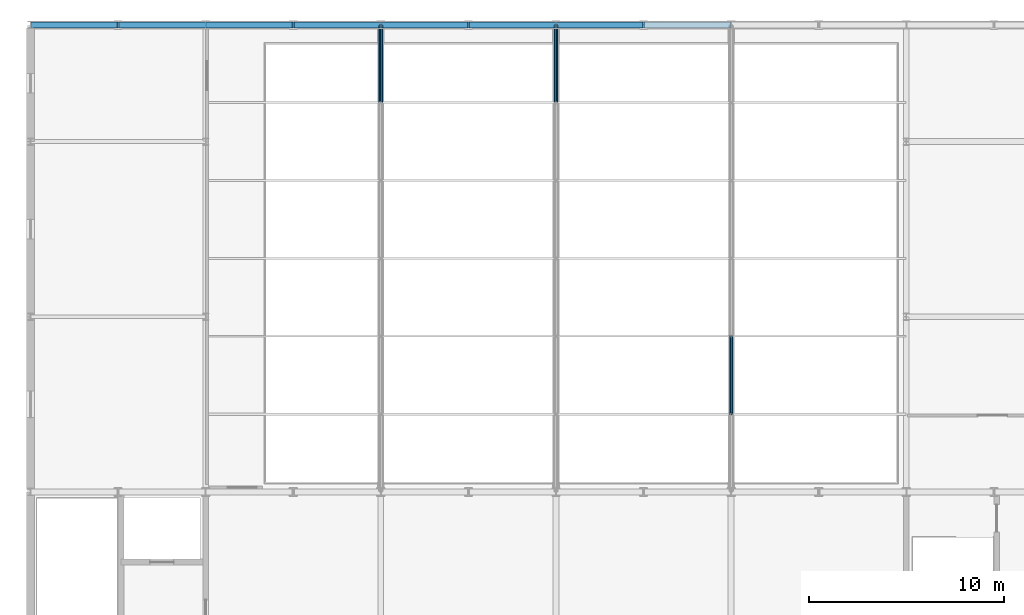
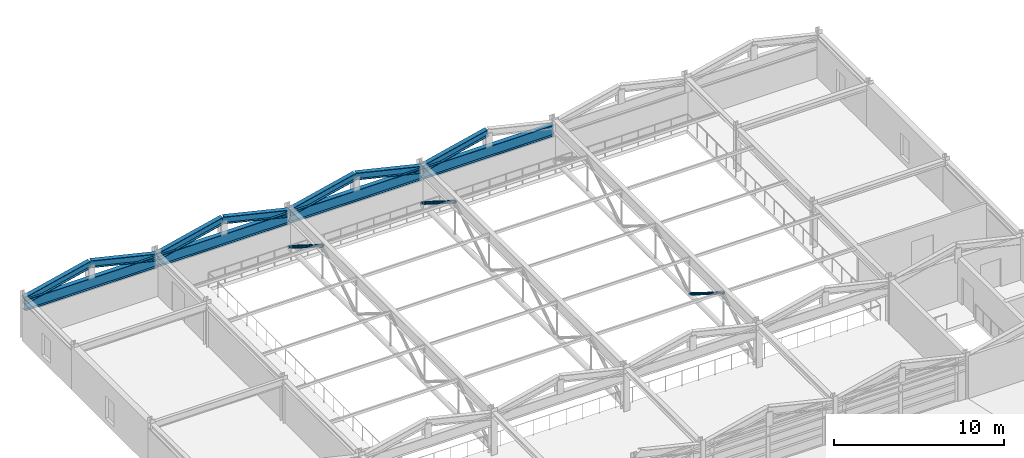
# One storey, part 37 of 91: 11 beams, 3 members.
"""IFC4 building model written with IfcOpenShell, lengths in metres."""

from ifc_helpers import new_model, si_unit, direction, frame, origin, origin_2d, place, context, subcontext, project, spatial, hollow_circle, i_section, extrude, material, material_profile, profile_set, type_object, element, save


model = new_model("IFC4")

# Units and contexts
model_context = context("Model", 3, precision=1e-05, world=origin(), true_north=direction((0.0, 1.0)))
body_context = subcontext(model_context, "Body", "Model", "MODEL_VIEW")
ifc_project = project(units=[si_unit("LENGTHUNIT", "METRE"), si_unit("AREAUNIT", "SQUARE_METRE"), si_unit("VOLUMEUNIT", "CUBIC_METRE"), si_unit("PLANEANGLEUNIT", "RADIAN"), si_unit("MASSUNIT", "GRAM", prefix="KILO")], contexts=[model_context])

# Site, building, storey
site_placement = place(None, origin())
site = spatial("IfcSite", under=ifc_project, at=site_placement, CompositionType="ELEMENT")
building_placement = place(site_placement, origin())
building = spatial("IfcBuilding", under=site, at=building_placement, Name="Palais des Congres Ocreval", CompositionType="ELEMENT")
storey_placement = place(building_placement, frame((0.0, 0.0, 8.159912109375)))
storey = spatial("IfcBuildingStorey", under=building, at=storey_placement, Name="L02", CompositionType="ELEMENT", Elevation=8.159912109375)

# Members
ifc_material = material(Name="Steel S355", Category="steel")
ifc_material_profile_1 = material_profile(ifc_material, hollow_circle(Radius=0.096923828125, WallThickness=0.010009765625, at=origin_2d()), Name="CHS 193.7x10")
ifc_profile_set_1 = profile_set([ifc_material_profile_1], Name="Steel S355")
member_type_1 = type_object("IfcMemberType", Name="Diagonal Brace CHS 193.7x10 Steel S355", PredefinedType="BRACE", material=ifc_profile_set_1)
member_placement = place(storey_placement, frame((36.0, 94.0, 2.7900390625), z_axis=(0.0, 0.847998304005, -0.529998940003), x_axis=(-1.0, 0.0, 0.0)))
element("IfcMember", 1, at=member_placement, inside=storey, type_object=member_type_1, Name="ROOF TRUSS Diagonal V1-36-2", PredefinedType="BRACE", context=body_context, shape_type="SweptSolid", body=[
    extrude(hollow_circle(Radius=0.096923828125, WallThickness=0.010009765625, at=origin_2d()), origin(), (0.0, 0.0, 1.0), 4.717041015625),
])
ifc_material_profile_2 = material_profile(ifc_material, hollow_circle(Radius=0.109619140625, WallThickness=0.012451171875, at=origin_2d()), Name="CHS 219.1x12.5")
ifc_profile_set_2 = profile_set([ifc_material_profile_2], Name="Steel S355")
member_type_2 = type_object("IfcMemberType", Name="Diagonal Brace CHS 219.1x12.5 Steel S355", PredefinedType="BRACE", material=ifc_profile_set_2)
for number, where, z_axis, x_axis, name in (
    (2, (18.0, 110.0, 2.7900390625), (0.0, 0.845587991701, -0.533836068743), (-1.0, 0.0, 0.0), "ROOF TRUSS Diagonal V1-18-6"),
    (3, (27.0, 110.0, 2.7900390625), (0.0, 0.845587991701, -0.533836068743), (-1.0, 0.0, 0.0), "ROOF TRUSS Diagonal V1-27-6"),
):
    element("IfcMember", number, at=place(storey_placement, frame(where, z_axis=z_axis, x_axis=x_axis)), inside=storey, type_object=member_type_2, Name=name, PredefinedType="BRACE", context=body_context, shape_type="SweptSolid", body=[
        extrude(hollow_circle(Radius=0.109619140625, WallThickness=0.012451171875, at=origin_2d()), origin(), (0.0, 0.0, 1.0), 4.68310546875),
    ])

# Beams
ifc_material_profile_3 = material_profile(ifc_material, i_section(OverallWidth=0.300048828125, OverallDepth=0.7900390625, WebThickness=0.014892578125, FlangeThickness=0.028076171875, at=origin_2d()), Name="HEA 800")
ifc_profile_set_3 = profile_set([ifc_material_profile_3], Name="Steel S355")
beam_type_1 = type_object("IfcBeamType", Name="Long-Span Girder HEA 800 Steel S355", PredefinedType="BEAM", material=ifc_profile_set_3)
for number, where, z_axis, x_axis, name in (
    (4, (0.02001953125, 114.0, 2.43017578125), (1.0, 0.0, 0.0), (0.0, 1.0, 0.0), "Beam B15 L02"),
    (5, (9.02001953125, 114.0, 2.43017578125), (1.0, 0.0, 0.0), (0.0, 1.0, 0.0), "Beam B15 L02"),
    (6, (18.02001953125, 114.0, 2.43017578125), (1.0, 0.0, 0.0), (0.0, 1.0, 0.0), "Beam B15 L02"),
    (7, (27.02001953125, 114.0, 2.43017578125), (1.0, 0.0, 0.0), (0.0, 1.0, 0.0), "Beam B15 L02"),
):
    element("IfcBeam", number, at=place(storey_placement, frame(where, z_axis=z_axis, x_axis=x_axis)), inside=storey, type_object=beam_type_1, Name=name, PredefinedType="BEAM", context=body_context, shape_type="SweptSolid", body=[
        extrude(i_section(OverallWidth=0.300048828125, OverallDepth=0.7900390625, WebThickness=0.014892578125, FlangeThickness=0.028076171875, at=origin_2d()), origin(), (0.0, 0.0, 1.0), 8.9599609375),
    ])
ifc_material_profile_4 = material_profile(ifc_material, i_section(OverallWidth=0.300048828125, OverallDepth=0.5, WebThickness=0.014404296875, FlangeThickness=0.028076171875, at=origin_2d()), Name="HEB 500")
ifc_profile_set_4 = profile_set([ifc_material_profile_4], Name="Steel S355")
beam_type_2 = type_object("IfcBeamType", Name="ROOF TRUSS Rafter HEB 500 Steel S355", PredefinedType="BEAM", material=ifc_profile_set_4)
for number, where, z_axis, x_axis, name in (
    (8, (0.0400390625, 114.0, 2.760009765625), (0.972896426025, 0.0, 0.231241311682), (0.0, 1.0, 0.0), "ROOF TRUSS Folded Rafter RFB1"),
    (9, (4.5, 114.0, 3.820068359375), (0.972896426025, 0.0, -0.231241311682), (0.0, 1.0, 0.0), "ROOF TRUSS Folded Rafter RFB1"),
    (10, (9.0400390625, 114.0, 2.760009765625), (0.972896426025, 0.0, 0.231241311682), (0.0, 1.0, 0.0), "ROOF TRUSS Folded Rafter RFB1"),
    (11, (13.5, 114.0, 3.820068359375), (0.972896426025, 0.0, -0.231241311682), (0.0, 1.0, 0.0), "ROOF TRUSS Folded Rafter RFB1"),
    (12, (18.0400390625, 114.0, 2.760009765625), (0.972896426025, 0.0, 0.231241311682), (0.0, 1.0, 0.0), "ROOF TRUSS Folded Rafter RFB1"),
    (13, (22.5, 114.0, 3.820068359375), (0.972896426025, 0.0, -0.231241311682), (0.0, 1.0, 0.0), "ROOF TRUSS Folded Rafter RFB1"),
    (14, (27.0400390625, 114.0, 2.760009765625), (0.972896426025, 0.0, 0.231241311682), (0.0, 1.0, 0.0), "ROOF TRUSS Folded Rafter RFB1"),
):
    element("IfcBeam", number, at=place(storey_placement, frame(where, z_axis=z_axis, x_axis=x_axis)), inside=storey, type_object=beam_type_2, Name=name, PredefinedType="BEAM", context=body_context, shape_type="SweptSolid", body=[
        extrude(i_section(OverallWidth=0.300048828125, OverallDepth=0.5, WebThickness=0.014404296875, FlangeThickness=0.028076171875, at=origin_2d()), origin(), (0.0, 0.0, 1.0), 4.584228515625),
    ])

save(model, "model.ifc")
